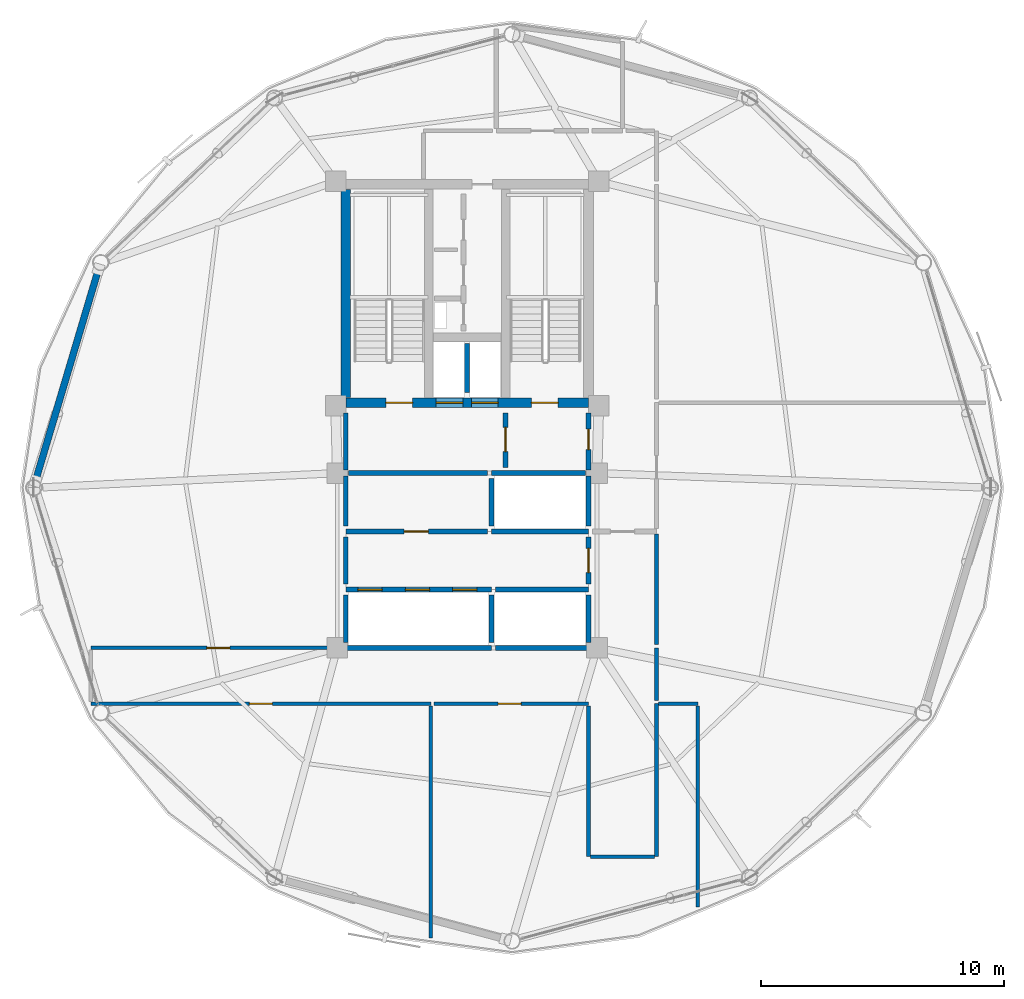
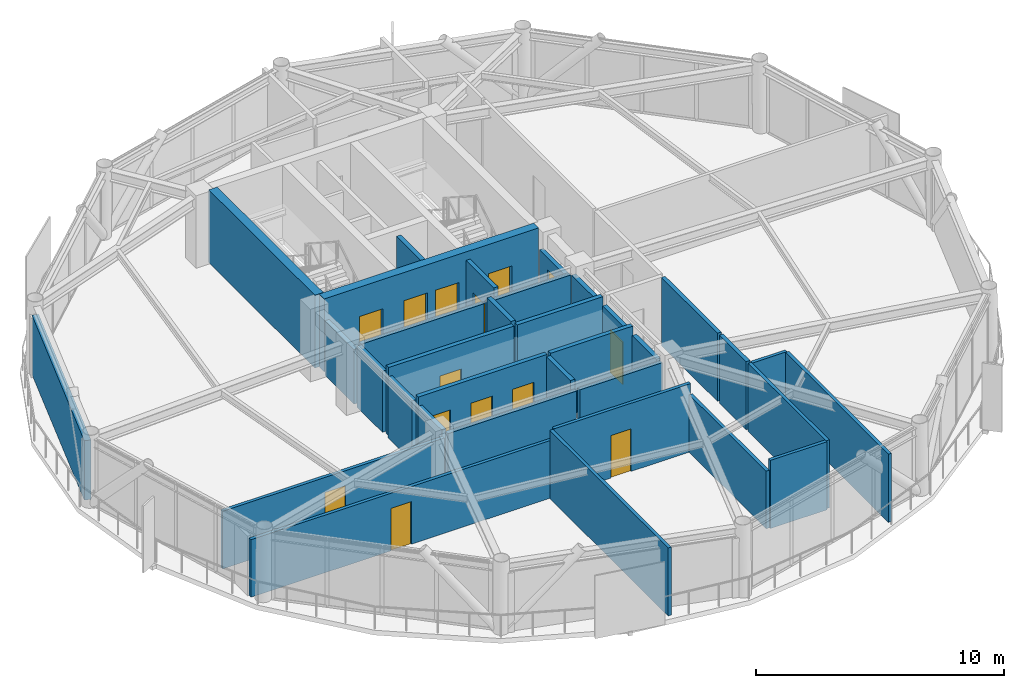
# One storey, part 24 of 29: 34 walls, 14 doors, 14 openings.
"""IFC4 building model written with IfcOpenShell, lengths in metres."""

from ifc_helpers import new_model, si_unit, direction, frame, frame_2d, origin, place, context, subcontext, project, spatial, rectangle, extrude, material, layer, layer_set, type_object, element, fill, save


model = new_model("IFC4")

# Units and contexts
model_context = context("Model", 3, precision=1e-05, world=origin(), true_north=direction((0.0, 1.0)))
body_context = subcontext(model_context, "Body", "Model", "MODEL_VIEW")
ifc_project = project(units=[si_unit("LENGTHUNIT", "METRE"), si_unit("AREAUNIT", "SQUARE_METRE"), si_unit("VOLUMEUNIT", "CUBIC_METRE"), si_unit("PLANEANGLEUNIT", "RADIAN"), si_unit("MASSUNIT", "GRAM", prefix="KILO")], contexts=[model_context])

# Site, building, storey
site_placement = place(None, origin())
site = spatial("IfcSite", under=ifc_project, at=site_placement, CompositionType="ELEMENT")
building_placement = place(site_placement, origin())
building = spatial("IfcBuilding", under=site, at=building_placement, Name="Varnakorn Sky Granary", CompositionType="ELEMENT")
storey_placement = place(building_placement, frame((0.0, 0.0, 182.39990234375)))
storey = spatial("IfcBuildingStorey", under=building, at=storey_placement, Name="L45", CompositionType="ELEMENT", Elevation=182.39990234375)

# Wall, openings, doors
ifc_material_1 = material(Name="Concrete C50/60", Category="concrete")
ifc_layer_1 = layer(ifc_material_1, 0.39990234375, Name="Concrete C50/60")
ifc_layer_set_1 = layer_set([ifc_layer_1], Name="Concrete C50/60")
wall_type_1 = type_object("IfcWallType", Name="WT-CW-SHEAR-400", PredefinedType="SHEAR", material=ifc_layer_set_1)
wall_1_placement = place(storey_placement, frame((-2.0, 3.5, 0.0), z_axis=(0.0, 0.0, 1.0), x_axis=(1.0, 0.0, 0.0)))
wall_1 = element("IfcWall", 1, at=wall_1_placement, inside=storey, type_object=wall_type_1, Name="Core South Shear Wall L45", PredefinedType="SHEAR", context=body_context, shape_type="SweptSolid", body=[
    extrude(rectangle(XDim=10.0, YDim=0.39990234375, at=frame_2d((5.0, 0.0))), origin(), (0.0, 0.0, 1.0), 3.592041015625),
])
opening_1_placement = place(wall_1_placement, frame((1.64990234375, 0.0, 0.0)))
opening_1 = element("IfcOpeningElement", 2, at=opening_1_placement, cuts=wall_1, Name="Opening FD-90", PredefinedType="OPENING", context=body_context, shape_type="SweptSolid", body=[
    extrude(rectangle(XDim=1.10009765625, YDim=2.14990234375, at=frame_2d((0.550048828125, 1.074951171875))), frame((0.0, 0.2099609375, 0.0), z_axis=(0.0, -1.0, 0.0), x_axis=(1.0, 0.0, 0.0)), (0.0, 0.0, 1.0), 0.419921875),
])
opening_2_placement = place(wall_1_placement, frame((7.64990234375, 0.0, 0.0)))
opening_2 = element("IfcOpeningElement", 3, at=opening_2_placement, cuts=wall_1, Name="Opening FD-90", PredefinedType="OPENING", context=body_context, shape_type="SweptSolid", body=[
    extrude(rectangle(XDim=1.10009765625, YDim=2.14990234375, at=frame_2d((0.550048828125, 1.074951171875))), frame((0.0, 0.2099609375, 0.0), z_axis=(0.0, -1.0, 0.0), x_axis=(1.0, 0.0, 0.0)), (0.0, 0.0, 1.0), 0.419921875),
])
opening_3_placement = place(wall_1_placement, frame((3.719970703125, 0.0, 0.0)))
opening_3 = element("IfcOpeningElement", 4, at=opening_3_placement, cuts=wall_1, Name="Opening LD-01", PredefinedType="OPENING", context=body_context, shape_type="SweptSolid", body=[
    extrude(rectangle(XDim=1.10009765625, YDim=2.199951171875, at=frame_2d((0.550048828125, 1.10009765625))), frame((0.0, 0.2099609375, 0.0), z_axis=(0.0, -1.0, 0.0), x_axis=(1.0, 0.0, 0.0)), (0.0, 0.0, 1.0), 0.419921875),
])
opening_4_placement = place(wall_1_placement, frame((5.179931640625, 0.0, 0.0)))
opening_4 = element("IfcOpeningElement", 5, at=opening_4_placement, cuts=wall_1, Name="Opening LD-01", PredefinedType="OPENING", context=body_context, shape_type="SweptSolid", body=[
    extrude(rectangle(XDim=1.10009765625, YDim=2.199951171875, at=frame_2d((0.550048828125, 1.10009765625))), frame((0.0, 0.2099609375, 0.0), z_axis=(0.0, -1.0, 0.0), x_axis=(1.0, 0.0, 0.0)), (0.0, 0.0, 1.0), 0.419921875),
])
ifc_material_2 = material(Name="Brushed Bronze Stainless Steel", Category="steel")
door_type_1 = type_object("IfcDoorType", Name="DR-LD-1100", OperationType="DOUBLE_DOOR_SLIDING", PredefinedType="DOOR", material=ifc_material_2)
door_1_placement = place(opening_3_placement, origin())
door_1 = element("IfcDoor", 6, at=door_1_placement, inside=storey, type_object=door_type_1, Name="Firefighting Lift FFL-1 Landing Door L45", OperationType="DOUBLE_DOOR_SLIDING", OverallHeight=2.199951171875, OverallWidth=1.10009765625, PredefinedType="DOOR", context=body_context, shape_type="SweptSolid", body=[
    extrude(rectangle(XDim=1.10009765625, YDim=2.199951171875, at=frame_2d((0.550048828125, 1.10009765625))), frame((0.0, 0.02490234375, 0.0), z_axis=(0.0, -1.0, 0.0), x_axis=(1.0, 0.0, 0.0)), (0.0, 0.0, 1.0), 0.050048828125),
])
fill(opening_3, door_1)
door_2_placement = place(opening_4_placement, origin())
door_2 = element("IfcDoor", 7, at=door_2_placement, inside=storey, type_object=door_type_1, Name="Firefighting Lift FFL-2 Landing Door L45", OperationType="DOUBLE_DOOR_SLIDING", OverallHeight=2.199951171875, OverallWidth=1.10009765625, PredefinedType="DOOR", context=body_context, shape_type="SweptSolid", body=[
    extrude(rectangle(XDim=1.10009765625, YDim=2.199951171875, at=frame_2d((0.550048828125, 1.10009765625))), frame((0.0, 0.02490234375, 0.0), z_axis=(0.0, -1.0, 0.0), x_axis=(1.0, 0.0, 0.0)), (0.0, 0.0, 1.0), 0.050048828125),
])
fill(opening_4, door_2)
ifc_material_3 = material(Name="Galvanised Painted Steel Leaf", Category="steel")
door_type_2 = type_object("IfcDoorType", Name="DR-STAIR-1100", OperationType="NOTDEFINED", PredefinedType="DOOR", material=ifc_material_3)
door_3_placement = place(opening_1_placement, origin())
door_3 = element("IfcDoor", 8, at=door_3_placement, inside=storey, type_object=door_type_2, Name="Stair ST-1 Protected Fire Door L45", OperationType="SINGLE_SWING_LEFT", OverallHeight=2.14990234375, OverallWidth=1.10009765625, PredefinedType="DOOR", context=body_context, shape_type="SweptSolid", body=[
    extrude(rectangle(XDim=1.10009765625, YDim=2.14990234375, at=frame_2d((0.550048828125, 1.074951171875))), frame((0.0, 0.02490234375, 0.0), z_axis=(0.0, -1.0, 0.0), x_axis=(1.0, 0.0, 0.0)), (0.0, 0.0, 1.0), 0.050048828125),
])
fill(opening_1, door_3)
door_4_placement = place(opening_2_placement, origin())
door_4 = element("IfcDoor", 9, at=door_4_placement, inside=storey, type_object=door_type_2, Name="Stair ST-2 Protected Fire Door L45", OperationType="SINGLE_SWING_RIGHT", OverallHeight=2.14990234375, OverallWidth=1.10009765625, PredefinedType="DOOR", context=body_context, shape_type="SweptSolid", body=[
    extrude(rectangle(XDim=1.10009765625, YDim=2.14990234375, at=frame_2d((0.550048828125, 1.074951171875))), frame((0.0, 0.02490234375, 0.0), z_axis=(0.0, -1.0, 0.0), x_axis=(1.0, 0.0, 0.0)), (0.0, 0.0, 1.0), 0.050048828125),
])
fill(opening_2, door_4)

# Walls
wall_2_placement = place(storey_placement, frame((-2.0, 3.7099609375, 0.0), z_axis=(0.0, 0.0, 1.0), x_axis=(0.0, 1.0, 0.0)))
element("IfcWall", 10, at=wall_2_placement, inside=storey, type_object=wall_type_1, Name="Core West Shear Wall L45", PredefinedType="SHEAR", context=body_context, shape_type="SweptSolid", body=[
    extrude(rectangle(XDim=8.580078125, YDim=0.39990234375, at=frame_2d((4.2900390625, 0.0))), origin(), (0.0, 0.0, 1.0), 3.592041015625),
])
ifc_material_4 = material(Name="Precast concrete C40/50", Category="concrete")
ifc_layer_2 = layer(ifc_material_4, 0.280029296875, Name="Precast concrete C40/50")
ifc_layer_set_2 = layer_set([ifc_layer_2], Name="Precast concrete C40/50")
wall_type_2 = type_object("IfcWallType", Name="WT-EW-CRN-280", PredefinedType="SOLIDWALL", material=ifc_layer_set_2)
wall_3_placement = place(storey_placement, frame((-14.78369140625, 0.273193359375, 0.0), z_axis=(0.0, 0.0, 1.0), x_axis=(0.285088788357, 0.958501112547, 0.0)))
element("IfcWall", 11, at=wall_3_placement, inside=storey, type_object=wall_type_2, Name="Agritech Insulated Precast Facade Wall L45-P06", PredefinedType="SOLIDWALL", context=body_context, shape_type="SweptSolid", body=[
    extrude(rectangle(XDim=9.10498046875, YDim=0.280029296875, at=frame_2d((4.552490234375, 0.0))), origin(), (0.0, 0.0, 1.0), 2.93017578125),
])

# Wall, opening, door
ifc_material_5 = material(Name="Autoclaved Aerated Concrete Blockwork", Category="masonry")
ifc_layer_3 = layer(ifc_material_5, 0.199951171875, Name="Autoclaved Aerated Concrete Blockwork")
ifc_layer_set_3 = layer_set([ifc_layer_3], Name="Autoclaved Aerated Concrete Blockwork")
wall_type_3 = type_object("IfcWallType", Name="WT-FIRE-200", PredefinedType="MOVABLE", material=ifc_layer_set_3)
wall_4_placement = place(storey_placement, frame((4.580078125, 0.830078125, 0.0), z_axis=(0.0, 0.0, 1.0), x_axis=(0.0, 1.0, 0.0)))
wall_4 = element("IfcWall", 12, at=wall_4_placement, inside=storey, type_object=wall_type_3, Name="Interior Partition Wall L45-015", PredefinedType="MOVABLE", context=body_context, shape_type="SweptSolid", body=[
    extrude(rectangle(XDim=2.239990234375, YDim=0.199951171875, at=frame_2d((1.1201171875, 0.0))), origin(), (0.0, 0.0, 1.0), 3.360107421875),
])
opening_5_placement = place(wall_4_placement, frame((0.659912109375, 0.0, 0.0)))
opening_5 = element("IfcOpeningElement", 13, at=opening_5_placement, cuts=wall_4, Name="Opening FD-60", PredefinedType="OPENING", context=body_context, shape_type="SweptSolid", body=[
    extrude(rectangle(XDim=1.0, YDim=2.10009765625, at=frame_2d((0.5, 1.050048828125))), frame((0.0, 0.10986328125, 0.0), z_axis=(0.0, -1.0, 0.0), x_axis=(1.0, 0.0, 0.0)), (0.0, 0.0, 1.0), 0.219970703125),
])
ifc_material_6 = material(Name="Acoustic Timber Fire Leaf", Category="wood")
door_type_3 = type_object("IfcDoorType", Name="DR-FD60-1000", OperationType="NOTDEFINED", PredefinedType="DOOR", material=ifc_material_6)
door_5_placement = place(opening_5_placement, origin())
door_5 = element("IfcDoor", 14, at=door_5_placement, inside=storey, type_object=door_type_3, Name="Interior Door L45-015-1", OperationType="SINGLE_SWING_LEFT", OverallHeight=2.10009765625, OverallWidth=1.0, PredefinedType="DOOR", context=body_context, shape_type="SweptSolid", body=[
    extrude(rectangle(XDim=1.0, YDim=2.10009765625, at=frame_2d((0.5, 1.050048828125))), frame((0.0, 0.02490234375, 0.0), z_axis=(0.0, -1.0, 0.0), x_axis=(1.0, 0.0, 0.0)), (0.0, 0.0, 1.0), 0.050048828125),
])
fill(opening_5, door_5)

wall_5_placement = place(storey_placement, frame((8.0, 0.719970703125, 0.0), z_axis=(0.0, 0.0, 1.0), x_axis=(0.0, 1.0, 0.0)))
wall_5 = element("IfcWall", 15, at=wall_5_placement, inside=storey, type_object=wall_type_3, Name="Interior Partition Wall L45-016", PredefinedType="MOVABLE", context=body_context, shape_type="SweptSolid", body=[
    extrude(rectangle(XDim=2.35009765625, YDim=0.199951171875, at=frame_2d((1.175048828125, 0.0))), origin(), (0.0, 0.0, 1.0), 2.692138671875),
])
opening_6_placement = place(wall_5_placement, frame((0.844970703125, 0.0, 0.0)))
opening_6 = element("IfcOpeningElement", 16, at=opening_6_placement, cuts=wall_5, Name="Opening FD-60N", PredefinedType="OPENING", context=body_context, shape_type="SweptSolid", body=[
    extrude(rectangle(XDim=0.85009765625, YDim=2.10009765625, at=frame_2d((0.425048828125, 1.050048828125))), frame((0.0, 0.10986328125, 0.0), z_axis=(0.0, -1.0, 0.0), x_axis=(1.0, 0.0, 0.0)), (0.0, 0.0, 1.0), 0.219970703125),
])
door_type_4 = type_object("IfcDoorType", Name="DR-FD60-850", OperationType="NOTDEFINED", PredefinedType="DOOR", material=ifc_material_6)
door_6_placement = place(opening_6_placement, origin())
door_6 = element("IfcDoor", 17, at=door_6_placement, inside=storey, type_object=door_type_4, Name="Interior Door L45-016-1", OperationType="SINGLE_SWING_RIGHT", OverallHeight=2.10009765625, OverallWidth=0.85009765625, PredefinedType="DOOR", context=body_context, shape_type="SweptSolid", body=[
    extrude(rectangle(XDim=0.85009765625, YDim=2.10009765625, at=frame_2d((0.425048828125, 1.050048828125))), frame((0.0, 0.02490234375, 0.0), z_axis=(0.0, -1.0, 0.0), x_axis=(1.0, 0.0, 0.0)), (0.0, 0.0, 1.0), 0.050048828125),
])
fill(opening_6, door_6)

wall_6_placement = place(storey_placement, frame((8.0, -3.969970703125, 0.0), z_axis=(0.0, 0.0, 1.0), x_axis=(0.0, 1.0, 0.0)))
wall_6 = element("IfcWall", 18, at=wall_6_placement, inside=storey, type_object=wall_type_3, Name="Interior Partition Wall L45-017", PredefinedType="MOVABLE", context=body_context, shape_type="SweptSolid", body=[
    extrude(rectangle(XDim=1.93994140625, YDim=0.199951171875, at=frame_2d((0.969970703125, 0.0))), origin(), (0.0, 0.0, 1.0), 3.01220703125),
])
opening_7_placement = place(wall_6_placement, frame((0.469970703125, 0.0, 0.0)))
opening_7 = element("IfcOpeningElement", 19, at=opening_7_placement, cuts=wall_6, Name="Opening FD-60", PredefinedType="OPENING", context=body_context, shape_type="SweptSolid", body=[
    extrude(rectangle(XDim=1.0, YDim=2.10009765625, at=frame_2d((0.5, 1.050048828125))), frame((0.0, 0.10986328125, 0.0), z_axis=(0.0, -1.0, 0.0), x_axis=(1.0, 0.0, 0.0)), (0.0, 0.0, 1.0), 0.219970703125),
])
door_7_placement = place(opening_7_placement, origin())
door_7 = element("IfcDoor", 20, at=door_7_placement, inside=storey, type_object=door_type_3, Name="Interior Door L45-017-1", OperationType="SINGLE_SWING_LEFT", OverallHeight=2.10009765625, OverallWidth=1.0, PredefinedType="DOOR", context=body_context, shape_type="SweptSolid", body=[
    extrude(rectangle(XDim=1.0, YDim=2.10009765625, at=frame_2d((0.5, 1.050048828125))), frame((0.0, 0.02490234375, 0.0), z_axis=(0.0, -1.0, 0.0), x_axis=(1.0, 0.0, 0.0)), (0.0, 0.0, 1.0), 0.050048828125),
])
fill(opening_7, door_7)

wall_7_placement = place(storey_placement, frame((-2.0, -1.800048828125, 0.0), z_axis=(0.0, 0.0, 1.0), x_axis=(1.0, 0.0, 0.0)))
wall_7 = element("IfcWall", 21, at=wall_7_placement, inside=storey, type_object=wall_type_3, Name="Interior Partition Wall L45-018", PredefinedType="MOVABLE", context=body_context, shape_type="SweptSolid", body=[
    extrude(rectangle(XDim=5.840087890625, YDim=0.199951171875, at=frame_2d((2.919921875, 0.0))), origin(), (0.0, 0.0, 1.0), 3.360107421875),
])
opening_8_placement = place(wall_7_placement, frame((2.39990234375, 0.0, 0.0)))
opening_8 = element("IfcOpeningElement", 22, at=opening_8_placement, cuts=wall_7, Name="Opening FD-60", PredefinedType="OPENING", context=body_context, shape_type="SweptSolid", body=[
    extrude(rectangle(XDim=1.0, YDim=2.10009765625, at=frame_2d((0.5, 1.050048828125))), frame((0.0, 0.10986328125, 0.0), z_axis=(0.0, -1.0, 0.0), x_axis=(1.0, 0.0, 0.0)), (0.0, 0.0, 1.0), 0.219970703125),
])
door_8_placement = place(opening_8_placement, origin())
door_8 = element("IfcDoor", 23, at=door_8_placement, inside=storey, type_object=door_type_3, Name="Interior Door L45-018-1", OperationType="SINGLE_SWING_RIGHT", OverallHeight=2.10009765625, OverallWidth=1.0, PredefinedType="DOOR", context=body_context, shape_type="SweptSolid", body=[
    extrude(rectangle(XDim=1.0, YDim=2.10009765625, at=frame_2d((0.5, 1.050048828125))), frame((0.0, 0.02490234375, 0.0), z_axis=(0.0, -1.0, 0.0), x_axis=(1.0, 0.0, 0.0)), (0.0, 0.0, 1.0), 0.050048828125),
])
fill(opening_8, door_8)

# Walls
wall_8_placement = place(storey_placement, frame((-1.8798828125, 0.60009765625, 0.0), z_axis=(0.0, 0.0, 1.0), x_axis=(1.0, 0.0, 0.0)))
element("IfcWall", 24, at=wall_8_placement, inside=storey, type_object=wall_type_3, Name="Interior Partition Wall L45-027", PredefinedType="MOVABLE", context=body_context, shape_type="SweptSolid", body=[
    extrude(rectangle(XDim=5.719970703125, YDim=0.199951171875, at=frame_2d((2.85986328125, 0.0))), origin(), (0.0, 0.0, 1.0), 3.01220703125),
])
wall_9_placement = place(storey_placement, frame((-2.0, 0.719970703125, 0.0), z_axis=(0.0, 0.0, 1.0), x_axis=(0.0, 1.0, 0.0)))
element("IfcWall", 25, at=wall_9_placement, inside=storey, type_object=wall_type_3, Name="Interior Partition Wall L45-028", PredefinedType="MOVABLE", context=body_context, shape_type="SweptSolid", body=[
    extrude(rectangle(XDim=2.35009765625, YDim=0.199951171875, at=frame_2d((1.175048828125, 0.0))), origin(), (0.0, 0.0, 1.0), 2.692138671875),
])
wall_10_placement = place(storey_placement, frame((-2.0, -3.969970703125, 0.0), z_axis=(0.0, 0.0, 1.0), x_axis=(0.0, 1.0, 0.0)))
element("IfcWall", 26, at=wall_10_placement, inside=storey, type_object=wall_type_3, Name="Interior Partition Wall L45-029", PredefinedType="MOVABLE", context=body_context, shape_type="SweptSolid", body=[
    extrude(rectangle(XDim=1.93994140625, YDim=0.199951171875, at=frame_2d((0.969970703125, 0.0))), origin(), (0.0, 0.0, 1.0), 3.01220703125),
])
wall_11_placement = place(storey_placement, frame((-2.0, -1.570068359375, 0.0), z_axis=(0.0, 0.0, 1.0), x_axis=(0.0, 1.0, 0.0)))
element("IfcWall", 27, at=wall_11_placement, inside=storey, type_object=wall_type_3, Name="Interior Partition Wall L45-030", PredefinedType="MOVABLE", context=body_context, shape_type="SweptSolid", body=[
    extrude(rectangle(XDim=2.050048828125, YDim=0.199951171875, at=frame_2d((1.02490234375, 0.0))), origin(), (0.0, 0.0, 1.0), 3.01220703125),
])

# Wall, opening, door
ifc_material_7 = material(Name="Gypsum Plasterboard on Steel Stud", Category="steel")
ifc_layer_4 = layer(ifc_material_7, 0.14990234375, Name="Gypsum Plasterboard on Steel Stud")
ifc_layer_set_4 = layer_set([ifc_layer_4], Name="Gypsum Plasterboard on Steel Stud")
wall_type_4 = type_object("IfcWallType", Name="WT-PART-150", PredefinedType="PARTITIONING", material=ifc_layer_set_4)
wall_12_placement = place(storey_placement, frame((-12.5, -8.89990234375, 0.0), z_axis=(0.0, 0.0, 1.0), x_axis=(1.0, 0.0, 0.0)))
wall_12 = element("IfcWall", 28, at=wall_12_placement, inside=storey, type_object=wall_type_4, Name="Interior Partition Wall L45-021", PredefinedType="PARTITIONING", context=body_context, shape_type="SweptSolid", body=[
    extrude(rectangle(XDim=14.0, YDim=0.14990234375, at=frame_2d((7.0, 0.0))), origin(), (0.0, 0.0, 1.0), 2.842041015625),
])
opening_9_placement = place(wall_12_placement, frame((6.52490234375, 0.0, 0.0)))
opening_9 = element("IfcOpeningElement", 29, at=opening_9_placement, cuts=wall_12, Name="Opening ID-95", PredefinedType="OPENING", context=body_context, shape_type="SweptSolid", body=[
    extrude(rectangle(XDim=0.949951171875, YDim=2.10009765625, at=frame_2d((0.47509765625, 1.050048828125))), frame((0.0, 0.0849609375, 0.0), z_axis=(0.0, -1.0, 0.0), x_axis=(1.0, 0.0, 0.0)), (0.0, 0.0, 1.0), 0.169921875),
])
ifc_material_8 = material(Name="Solid-Core Teak Veneer Leaf", Category="timber")
door_type_5 = type_object("IfcDoorType", Name="DR-INT-950", OperationType="NOTDEFINED", PredefinedType="DOOR", material=ifc_material_8)
door_9_placement = place(opening_9_placement, origin())
door_9 = element("IfcDoor", 30, at=door_9_placement, inside=storey, type_object=door_type_5, Name="Interior Door L45-021-1", OperationType="SINGLE_SWING_LEFT", OverallHeight=2.10009765625, OverallWidth=0.949951171875, PredefinedType="DOOR", context=body_context, shape_type="SweptSolid", body=[
    extrude(rectangle(XDim=0.949951171875, YDim=2.10009765625, at=frame_2d((0.47509765625, 1.050048828125))), frame((0.0, 0.02490234375, 0.0), z_axis=(0.0, -1.0, 0.0), x_axis=(1.0, 0.0, 0.0)), (0.0, 0.0, 1.0), 0.050048828125),
])
fill(opening_9, door_9)

wall_13_placement = place(storey_placement, frame((1.635009765625, -8.89990234375, 0.0), z_axis=(0.0, 0.0, 1.0), x_axis=(1.0, 0.0, 0.0)))
wall_13 = element("IfcWall", 31, at=wall_13_placement, inside=storey, type_object=wall_type_4, Name="Interior Partition Wall L45-022", PredefinedType="PARTITIONING", context=body_context, shape_type="SweptSolid", body=[
    extrude(rectangle(XDim=6.364990234375, YDim=0.14990234375, at=frame_2d((3.1826171875, 0.0))), origin(), (0.0, 0.0, 1.0), 3.360107421875),
])
opening_10_placement = place(wall_13_placement, frame((2.639892578125, 0.0, 0.0)))
opening_10 = element("IfcOpeningElement", 32, at=opening_10_placement, cuts=wall_13, Name="Opening ID-95", PredefinedType="OPENING", context=body_context, shape_type="SweptSolid", body=[
    extrude(rectangle(XDim=0.949951171875, YDim=2.10009765625, at=frame_2d((0.47509765625, 1.050048828125))), frame((0.0, 0.0849609375, 0.0), z_axis=(0.0, -1.0, 0.0), x_axis=(1.0, 0.0, 0.0)), (0.0, 0.0, 1.0), 0.169921875),
])
door_10_placement = place(opening_10_placement, origin())
door_10 = element("IfcDoor", 33, at=door_10_placement, inside=storey, type_object=door_type_5, Name="Interior Door L45-022-1", OperationType="SINGLE_SWING_RIGHT", OverallHeight=2.10009765625, OverallWidth=0.949951171875, PredefinedType="DOOR", context=body_context, shape_type="SweptSolid", body=[
    extrude(rectangle(XDim=0.949951171875, YDim=2.10009765625, at=frame_2d((0.47509765625, 1.050048828125))), frame((0.0, 0.02490234375, 0.0), z_axis=(0.0, -1.0, 0.0), x_axis=(1.0, 0.0, 0.0)), (0.0, 0.0, 1.0), 0.050048828125),
])
fill(opening_10, door_10)

wall_14_placement = place(storey_placement, frame((-2.159912109375, -6.60009765625, 0.0), z_axis=(0.0, 0.0, 1.0), x_axis=(-1.0, 0.0, 0.0)))
wall_14 = element("IfcWall", 34, at=wall_14_placement, inside=storey, type_object=wall_type_4, Name="Interior Partition Wall L45-023", PredefinedType="PARTITIONING", context=body_context, shape_type="SweptSolid", body=[
    extrude(rectangle(XDim=10.340087890625, YDim=0.14990234375, at=frame_2d((5.169921875, 0.0))), origin(), (0.0, 0.0, 1.0), 2.842041015625),
])
opening_11_placement = place(wall_14_placement, frame((4.614990234375, 0.0, 0.0)))
opening_11 = element("IfcOpeningElement", 35, at=opening_11_placement, cuts=wall_14, Name="Opening ID-95", PredefinedType="OPENING", context=body_context, shape_type="SweptSolid", body=[
    extrude(rectangle(XDim=0.949951171875, YDim=2.10009765625, at=frame_2d((0.47509765625, 1.050048828125))), frame((0.0, 0.0849609375, 0.0), z_axis=(0.0, -1.0, 0.0), x_axis=(1.0, 0.0, 0.0)), (0.0, 0.0, 1.0), 0.169921875),
])
door_11_placement = place(opening_11_placement, origin())
door_11 = element("IfcDoor", 36, at=door_11_placement, inside=storey, type_object=door_type_5, Name="Interior Door L45-023-1", OperationType="SINGLE_SWING_LEFT", OverallHeight=2.10009765625, OverallWidth=0.949951171875, PredefinedType="DOOR", context=body_context, shape_type="SweptSolid", body=[
    extrude(rectangle(XDim=0.949951171875, YDim=2.10009765625, at=frame_2d((0.47509765625, 1.050048828125))), frame((0.0, 0.02490234375, 0.0), z_axis=(0.0, -1.0, 0.0), x_axis=(1.0, 0.0, 0.0)), (0.0, 0.0, 1.0), 0.050048828125),
])
fill(opening_11, door_11)

# Walls
wall_15_placement = place(storey_placement, frame((1.5, -8.985107421875, 0.0), z_axis=(0.0, 0.0, 1.0), x_axis=(0.0, -1.0, 0.0)))
element("IfcWall", 37, at=wall_15_placement, inside=storey, type_object=wall_type_4, Name="Interior Partition Wall L45-032", PredefinedType="PARTITIONING", context=body_context, shape_type="SweptSolid", body=[
    extrude(rectangle(XDim=9.559814453125, YDim=0.14990234375, at=frame_2d((4.77978515625, 0.0))), origin(), (0.0, 0.0, 1.0), 3.360107421875),
])
wall_16_placement = place(storey_placement, frame((8.0, -8.985107421875, 0.0), z_axis=(0.0, 0.0, 1.0), x_axis=(0.0, -1.0, 0.0)))
element("IfcWall", 38, at=wall_16_placement, inside=storey, type_object=wall_type_4, Name="Interior Partition Wall L45-033", PredefinedType="PARTITIONING", context=body_context, shape_type="SweptSolid", body=[
    extrude(rectangle(XDim=6.21484375, YDim=0.14990234375, at=frame_2d((3.107421875, 0.0))), origin(), (0.0, 0.0, 1.0), 2.842041015625),
])
wall_17_placement = place(storey_placement, frame((10.800048828125, -15.199951171875, 0.0), z_axis=(0.0, 0.0, 1.0), x_axis=(0.0, 1.0, 0.0)))
element("IfcWall", 39, at=wall_17_placement, inside=storey, type_object=wall_type_4, Name="Interior Partition Wall L45-034", PredefinedType="PARTITIONING", context=body_context, shape_type="SweptSolid", body=[
    extrude(rectangle(XDim=6.300048828125, YDim=0.14990234375, at=frame_2d((3.14990234375, 0.0))), origin(), (0.0, 0.0, 1.0), 3.360107421875),
])
wall_18_placement = place(storey_placement, frame((8.0849609375, -15.199951171875, 0.0), z_axis=(0.0, 0.0, 1.0), x_axis=(1.0, 0.0, 0.0)))
element("IfcWall", 40, at=wall_18_placement, inside=storey, type_object=wall_type_4, Name="Interior Partition Wall L45-035", PredefinedType="PARTITIONING", context=body_context, shape_type="SweptSolid", body=[
    extrude(rectangle(XDim=2.630126953125, YDim=0.14990234375, at=frame_2d((1.31494140625, 0.0))), origin(), (0.0, 0.0, 1.0), 3.360107421875),
])
wall_19_placement = place(storey_placement, frame((10.885009765625, -8.89990234375, 0.0), z_axis=(0.0, 0.0, 1.0), x_axis=(1.0, 0.0, 0.0)))
element("IfcWall", 41, at=wall_19_placement, inside=storey, type_object=wall_type_4, Name="Interior Partition Wall L45-036", PredefinedType="PARTITIONING", context=body_context, shape_type="SweptSolid", body=[
    extrude(rectangle(XDim=1.614990234375, YDim=0.14990234375, at=frame_2d((0.8076171875, 0.0))), origin(), (0.0, 0.0, 1.0), 3.360107421875),
])
wall_20_placement = place(storey_placement, frame((12.5, -8.985107421875, 0.0), z_axis=(0.0, 0.0, 1.0), x_axis=(0.0, -1.0, 0.0)))
element("IfcWall", 42, at=wall_20_placement, inside=storey, type_object=wall_type_4, Name="Interior Partition Wall L45-037", PredefinedType="PARTITIONING", context=body_context, shape_type="SweptSolid", body=[
    extrude(rectangle(XDim=8.29296875, YDim=0.14990234375, at=frame_2d((4.146484375, 0.0))), origin(), (0.0, 0.0, 1.0), 3.360107421875),
])
ifc_material_9 = material(Name="Moisture-Resistant Gypsum on Stud", Category="gypsum")
ifc_layer_5 = layer(ifc_material_9, 0.179931640625, Name="Moisture-Resistant Gypsum on Stud")
ifc_layer_set_5 = layer_set([ifc_layer_5], Name="Moisture-Resistant Gypsum on Stud")
wall_type_5 = type_object("IfcWallType", Name="WT-PLUMB-180", PredefinedType="PLUMBINGWALL", material=ifc_layer_set_5)
wall_21_placement = place(storey_placement, frame((10.800048828125, -8.764892578125, 0.0), z_axis=(0.0, 0.0, 1.0), x_axis=(0.0, 1.0, 0.0)))
element("IfcWall", 43, at=wall_21_placement, inside=storey, type_object=wall_type_5, Name="Interior Partition Wall L45-042", PredefinedType="PLUMBINGWALL", context=body_context, shape_type="SweptSolid", body=[
    extrude(rectangle(XDim=2.164794921875, YDim=0.179931640625, at=frame_2d((1.08251953125, 0.0))), origin(), (0.0, 0.0, 1.0), 3.360107421875),
])
wall_22_placement = place(storey_placement, frame((10.800048828125, -6.449951171875, 0.0), z_axis=(0.0, 0.0, 1.0), x_axis=(0.0, 1.0, 0.0)))
element("IfcWall", 44, at=wall_22_placement, inside=storey, type_object=wall_type_5, Name="Interior Partition Wall L45-043", PredefinedType="PLUMBINGWALL", context=body_context, shape_type="SweptSolid", body=[
    extrude(rectangle(XDim=4.5400390625, YDim=0.179931640625, at=frame_2d((2.27001953125, 0.0))), origin(), (0.0, 0.0, 1.0), 3.360107421875),
])
ifc_layer_6 = layer(ifc_material_5, 0.199951171875, Name="Autoclaved Aerated Concrete Blockwork")
ifc_layer_set_6 = layer_set([ifc_layer_6], Name="Autoclaved Aerated Concrete Blockwork")
wall_type_6 = type_object("IfcWallType", Name="WT-SHAFT-200", PredefinedType="SOLIDWALL", material=ifc_layer_set_6)
wall_23_placement = place(storey_placement, frame((3.0, 3.919921875, 0.0), z_axis=(0.0, 0.0, 1.0), x_axis=(0.0, 1.0, 0.0)))
element("IfcWall", 45, at=wall_23_placement, inside=storey, type_object=wall_type_6, Name="Interior Partition Wall L45-001", PredefinedType="SOLIDWALL", context=body_context, shape_type="SweptSolid", body=[
    extrude(rectangle(XDim=2.030029296875, YDim=0.199951171875, at=frame_2d((1.01513671875, 0.0))), origin(), (0.0, 0.0, 1.0), 3.360107421875),
])
wall_24_placement = place(storey_placement, frame((4.0, 0.60009765625, 0.0), z_axis=(0.0, 0.0, 1.0), x_axis=(1.0, 0.0, 0.0)))
element("IfcWall", 46, at=wall_24_placement, inside=storey, type_object=wall_type_6, Name="Interior Partition Wall L45-003", PredefinedType="SOLIDWALL", context=body_context, shape_type="SweptSolid", body=[
    extrude(rectangle(XDim=3.8798828125, YDim=0.199951171875, at=frame_2d((1.93994140625, 0.0))), origin(), (0.0, 0.0, 1.0), 3.01220703125),
])
wall_25_placement = place(storey_placement, frame((4.0, -1.800048828125, 0.0), z_axis=(0.0, 0.0, 1.0), x_axis=(1.0, 0.0, 0.0)))
element("IfcWall", 47, at=wall_25_placement, inside=storey, type_object=wall_type_6, Name="Interior Partition Wall L45-004", PredefinedType="SOLIDWALL", context=body_context, shape_type="SweptSolid", body=[
    extrude(rectangle(XDim=4.0, YDim=0.199951171875, at=frame_2d((2.0, 0.0))), origin(), (0.0, 0.0, 1.0), 3.360107421875),
])
wall_26_placement = place(storey_placement, frame((4.0, -1.570068359375, 0.0), z_axis=(0.0, 0.0, 1.0), x_axis=(0.0, 1.0, 0.0)))
element("IfcWall", 48, at=wall_26_placement, inside=storey, type_object=wall_type_6, Name="Interior Partition Wall L45-005", PredefinedType="SOLIDWALL", context=body_context, shape_type="SweptSolid", body=[
    extrude(rectangle(XDim=1.940185546875, YDim=0.199951171875, at=frame_2d((0.97021484375, 0.0))), origin(), (0.0, 0.0, 1.0), 3.360107421875),
])
wall_27_placement = place(storey_placement, frame((8.0, -1.570068359375, 0.0), z_axis=(0.0, 0.0, 1.0), x_axis=(0.0, 1.0, 0.0)))
element("IfcWall", 49, at=wall_27_placement, inside=storey, type_object=wall_type_6, Name="Interior Partition Wall L45-006", PredefinedType="SOLIDWALL", context=body_context, shape_type="SweptSolid", body=[
    extrude(rectangle(XDim=2.050048828125, YDim=0.199951171875, at=frame_2d((1.02490234375, 0.0))), origin(), (0.0, 0.0, 1.0), 3.01220703125),
])

# Wall, openings, doors
wall_28_placement = place(storey_placement, frame((-2.0, -4.199951171875, 0.0), z_axis=(0.0, 0.0, 1.0), x_axis=(1.0, 0.0, 0.0)))
wall_28 = element("IfcWall", 50, at=wall_28_placement, inside=storey, type_object=wall_type_6, Name="Interior Partition Wall L45-007", PredefinedType="SOLIDWALL", context=body_context, shape_type="SweptSolid", body=[
    extrude(rectangle(XDim=6.0, YDim=0.199951171875, at=frame_2d((3.0, 0.0))), origin(), (0.0, 0.0, 1.0), 3.360107421875),
])
opening_12_placement = place(wall_28_placement, frame((0.5, 0.0, 0.0)))
opening_12 = element("IfcOpeningElement", 51, at=opening_12_placement, cuts=wall_28, Name="Opening LD-03", PredefinedType="OPENING", context=body_context, shape_type="SweptSolid", body=[
    extrude(rectangle(XDim=1.0, YDim=2.199951171875, at=frame_2d((0.5, 1.10009765625))), frame((0.0, 0.10986328125, 0.0), z_axis=(0.0, -1.0, 0.0), x_axis=(1.0, 0.0, 0.0)), (0.0, 0.0, 1.0), 0.219970703125),
])
opening_13_placement = place(wall_28_placement, frame((2.449951171875, 0.0, 0.0)))
opening_13 = element("IfcOpeningElement", 52, at=opening_13_placement, cuts=wall_28, Name="Opening LD-03", PredefinedType="OPENING", context=body_context, shape_type="SweptSolid", body=[
    extrude(rectangle(XDim=1.0, YDim=2.199951171875, at=frame_2d((0.5, 1.10009765625))), frame((0.0, 0.10986328125, 0.0), z_axis=(0.0, -1.0, 0.0), x_axis=(1.0, 0.0, 0.0)), (0.0, 0.0, 1.0), 0.219970703125),
])
opening_14_placement = place(wall_28_placement, frame((4.39990234375, 0.0, 0.0)))
opening_14 = element("IfcOpeningElement", 53, at=opening_14_placement, cuts=wall_28, Name="Opening LD-03", PredefinedType="OPENING", context=body_context, shape_type="SweptSolid", body=[
    extrude(rectangle(XDim=1.0, YDim=2.199951171875, at=frame_2d((0.5, 1.10009765625))), frame((0.0, 0.10986328125, 0.0), z_axis=(0.0, -1.0, 0.0), x_axis=(1.0, 0.0, 0.0)), (0.0, 0.0, 1.0), 0.219970703125),
])
door_type_6 = type_object("IfcDoorType", Name="DR-LD-1000", OperationType="DOUBLE_DOOR_SLIDING", PredefinedType="DOOR", material=ifc_material_2)
door_12_placement = place(opening_12_placement, origin())
door_12 = element("IfcDoor", 54, at=door_12_placement, inside=storey, type_object=door_type_6, Name="Passenger Lift PL-M1 Sliding Landing Door L45", OperationType="DOUBLE_DOOR_SLIDING", OverallHeight=2.199951171875, OverallWidth=1.0, PredefinedType="DOOR", context=body_context, shape_type="SweptSolid", body=[
    extrude(rectangle(XDim=1.0, YDim=2.199951171875, at=frame_2d((0.5, 1.10009765625))), frame((0.0, 0.02490234375, 0.0), z_axis=(0.0, -1.0, 0.0), x_axis=(1.0, 0.0, 0.0)), (0.0, 0.0, 1.0), 0.050048828125),
])
fill(opening_12, door_12)
door_13_placement = place(opening_13_placement, origin())
door_13 = element("IfcDoor", 55, at=door_13_placement, inside=storey, type_object=door_type_6, Name="Passenger Lift PL-M2 Sliding Landing Door L45", OperationType="DOUBLE_DOOR_SLIDING", OverallHeight=2.199951171875, OverallWidth=1.0, PredefinedType="DOOR", context=body_context, shape_type="SweptSolid", body=[
    extrude(rectangle(XDim=1.0, YDim=2.199951171875, at=frame_2d((0.5, 1.10009765625))), frame((0.0, 0.02490234375, 0.0), z_axis=(0.0, -1.0, 0.0), x_axis=(1.0, 0.0, 0.0)), (0.0, 0.0, 1.0), 0.050048828125),
])
fill(opening_13, door_13)
door_14_placement = place(opening_14_placement, origin())
door_14 = element("IfcDoor", 56, at=door_14_placement, inside=storey, type_object=door_type_6, Name="Passenger Lift PL-M3 Sliding Landing Door L45", OperationType="DOUBLE_DOOR_SLIDING", OverallHeight=2.199951171875, OverallWidth=1.0, PredefinedType="DOOR", context=body_context, shape_type="SweptSolid", body=[
    extrude(rectangle(XDim=1.0, YDim=2.199951171875, at=frame_2d((0.5, 1.10009765625))), frame((0.0, 0.02490234375, 0.0), z_axis=(0.0, -1.0, 0.0), x_axis=(1.0, 0.0, 0.0)), (0.0, 0.0, 1.0), 0.050048828125),
])
fill(opening_14, door_14)

# Walls
wall_29_placement = place(storey_placement, frame((-2.0, -6.60009765625, 0.0), z_axis=(0.0, 0.0, 1.0), x_axis=(1.0, 0.0, 0.0)))
element("IfcWall", 57, at=wall_29_placement, inside=storey, type_object=wall_type_6, Name="Interior Partition Wall L45-008", PredefinedType="SOLIDWALL", context=body_context, shape_type="SweptSolid", body=[
    extrude(rectangle(XDim=6.0, YDim=0.199951171875, at=frame_2d((3.0, 0.0))), origin(), (0.0, 0.0, 1.0), 3.01220703125),
])
wall_30_placement = place(storey_placement, frame((-2.0, -6.3701171875, 0.0), z_axis=(0.0, 0.0, 1.0), x_axis=(0.0, 1.0, 0.0)))
element("IfcWall", 58, at=wall_30_placement, inside=storey, type_object=wall_type_6, Name="Interior Partition Wall L45-009", PredefinedType="SOLIDWALL", context=body_context, shape_type="SweptSolid", body=[
    extrude(rectangle(XDim=1.940185546875, YDim=0.199951171875, at=frame_2d((0.97021484375, 0.0))), origin(), (0.0, 0.0, 1.0), 3.01220703125),
])
wall_31_placement = place(storey_placement, frame((4.159912109375, -4.199951171875, 0.0), z_axis=(0.0, 0.0, 1.0), x_axis=(1.0, 0.0, 0.0)))
element("IfcWall", 59, at=wall_31_placement, inside=storey, type_object=wall_type_6, Name="Interior Partition Wall L45-010", PredefinedType="SOLIDWALL", context=body_context, shape_type="SweptSolid", body=[
    extrude(rectangle(XDim=3.840087890625, YDim=0.199951171875, at=frame_2d((1.919921875, 0.0))), origin(), (0.0, 0.0, 1.0), 3.360107421875),
])
wall_32_placement = place(storey_placement, frame((4.159912109375, -6.60009765625, 0.0), z_axis=(0.0, 0.0, 1.0), x_axis=(1.0, 0.0, 0.0)))
element("IfcWall", 60, at=wall_32_placement, inside=storey, type_object=wall_type_6, Name="Interior Partition Wall L45-011", PredefinedType="SOLIDWALL", context=body_context, shape_type="SweptSolid", body=[
    extrude(rectangle(XDim=3.840087890625, YDim=0.199951171875, at=frame_2d((1.919921875, 0.0))), origin(), (0.0, 0.0, 1.0), 3.01220703125),
])
wall_33_placement = place(storey_placement, frame((4.0, -6.3701171875, 0.0), z_axis=(0.0, 0.0, 1.0), x_axis=(0.0, 1.0, 0.0)))
element("IfcWall", 61, at=wall_33_placement, inside=storey, type_object=wall_type_6, Name="Interior Partition Wall L45-012", PredefinedType="SOLIDWALL", context=body_context, shape_type="SweptSolid", body=[
    extrude(rectangle(XDim=1.940185546875, YDim=0.199951171875, at=frame_2d((0.97021484375, 0.0))), origin(), (0.0, 0.0, 1.0), 3.360107421875),
])
wall_34_placement = place(storey_placement, frame((8.0, -6.3701171875, 0.0), z_axis=(0.0, 0.0, 1.0), x_axis=(0.0, 1.0, 0.0)))
element("IfcWall", 62, at=wall_34_placement, inside=storey, type_object=wall_type_6, Name="Interior Partition Wall L45-013", PredefinedType="SOLIDWALL", context=body_context, shape_type="SweptSolid", body=[
    extrude(rectangle(XDim=1.940185546875, YDim=0.199951171875, at=frame_2d((0.97021484375, 0.0))), origin(), (0.0, 0.0, 1.0), 3.01220703125),
])

save(model, "model.ifc")
